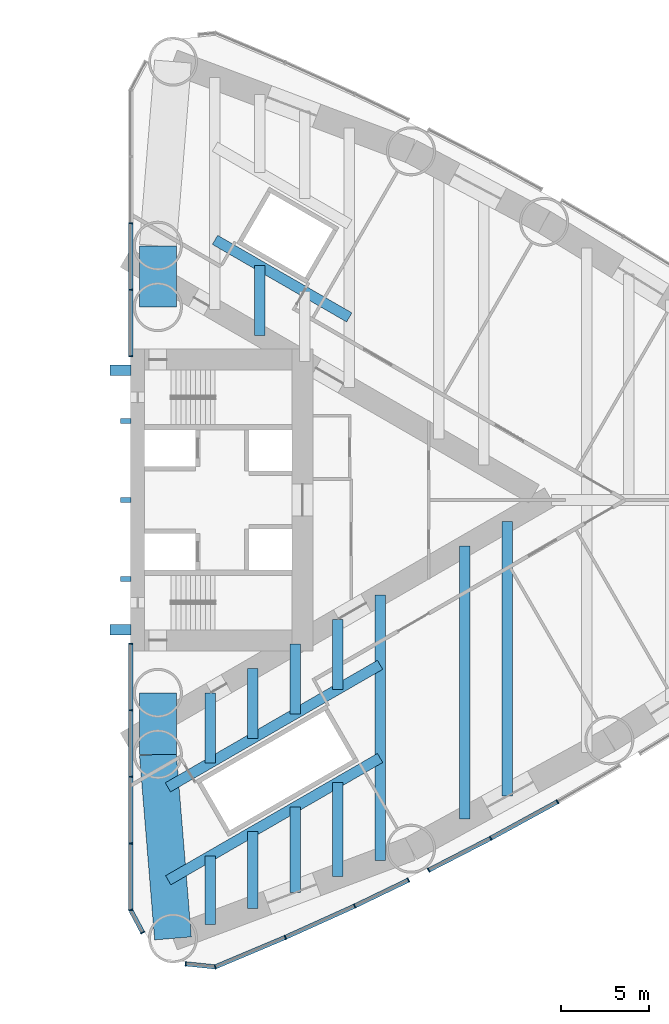
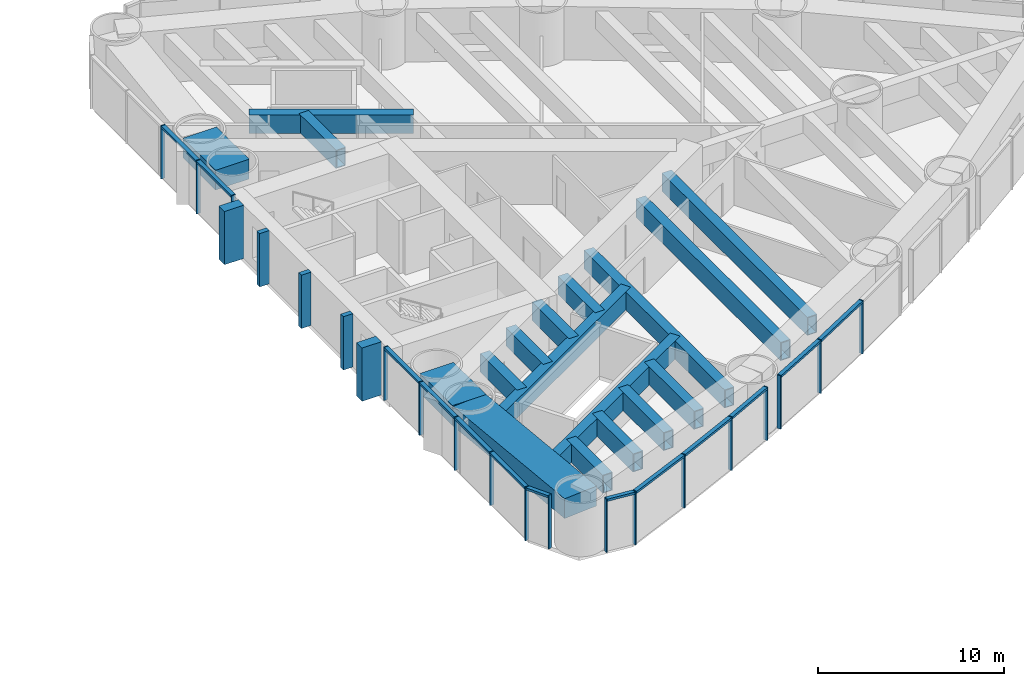
# One storey, part 6 of 20: 35 members, 18 beams, 4 elements without a shape of their own.
"""IFC4 building model written with IfcOpenShell, lengths in metres."""

from ifc_helpers import new_model, si_unit, direction, frame, origin, origin_2d, place, context, subcontext, project, spatial, rectangle, hollow_rectangle, extrude, material, material_profile, profile_set, type_object, element, aggregate, save


model = new_model("IFC4")

# Units and contexts
model_context = context("Model", 3, precision=1e-05, world=origin(), true_north=direction((0.0, 1.0)))
body_context = subcontext(model_context, "Body", "Model", "MODEL_VIEW")
ifc_project = project(units=[si_unit("LENGTHUNIT", "METRE"), si_unit("AREAUNIT", "SQUARE_METRE"), si_unit("VOLUMEUNIT", "CUBIC_METRE"), si_unit("PLANEANGLEUNIT", "RADIAN"), si_unit("MASSUNIT", "GRAM", prefix="KILO")], contexts=[model_context])

# Site, building, storey
site_placement = place(None, origin())
site = spatial("IfcSite", under=ifc_project, at=site_placement, CompositionType="ELEMENT")
building_placement = place(site_placement, origin())
building = spatial("IfcBuilding", under=site, at=building_placement, Name="Lancet Gate Hotel", CompositionType="ELEMENT")
storey_placement = place(building_placement, frame((0.0, 0.0, 77.5)))
storey = spatial("IfcBuildingStorey", under=building, at=storey_placement, Name="L20", CompositionType="ELEMENT", Elevation=77.5)

# Curtain wall, members
ifc_material_1 = material(Name="Aluminium curtain wall", Category="aluminium")
curtain_wall_type = type_object("IfcCurtainWallType", Name="Tower unitised curtain wall", PredefinedType="USERDEFINED", material=ifc_material_1)
curtain_wall_1_placement = place(storey_placement, origin())
curtain_wall_1 = element("IfcCurtainWall", 1, at=curtain_wall_1_placement, inside=storey, type_object=curtain_wall_type, Name="T2 L20 curtain wall 1", ObjectType="UNITISED CURTAIN WALL", PredefinedType="USERDEFINED")
ifc_material_2 = material(Name="Aluminium mullion", Category="aluminium")
ifc_material_profile_1 = material_profile(ifc_material_2, rectangle(XDim=0.06494140625, YDim=0.25, at=origin_2d()), Name="MULLION 65x250")
ifc_profile_set_1 = profile_set([ifc_material_profile_1], Name="Aluminium mullion")
member_type_1 = type_object("IfcMemberType", Name="Aluminium mullion 65x250", PredefinedType="MULLION", material=ifc_profile_set_1)
member_1_placement = place(storey_placement, frame((27.5, -8.199951171875, 0.0), z_axis=(0.0, 0.0, 1.0), x_axis=(0.0, -1.0, 0.0)))
member_1 = element("IfcMember", 2, at=member_1_placement, type_object=member_type_1, Name="T2 L20 curtain wall 1 mullion 1", PredefinedType="MULLION", context=body_context, shape_type="SweptSolid", body=[
    extrude(rectangle(XDim=0.06494140625, YDim=0.25, at=origin_2d()), origin(), (0.0, 0.0, 1.0), 3.5),
])
member_2_placement = place(storey_placement, frame((27.5, -11.99609375, 0.0), z_axis=(0.0, 0.0, 1.0), x_axis=(0.0, -1.0, 0.0)))
member_2 = element("IfcMember", 3, at=member_2_placement, type_object=member_type_1, Name="T2 L20 curtain wall 1 mullion 2", PredefinedType="MULLION", context=body_context, shape_type="SweptSolid", body=[
    extrude(rectangle(XDim=0.06494140625, YDim=0.25, at=origin_2d()), origin(), (0.0, 0.0, 1.0), 3.5),
])
member_3_placement = place(storey_placement, frame((27.5, -15.79248046875, 0.0), z_axis=(0.0, 0.0, 1.0), x_axis=(0.0, -1.0, 0.0)))
member_3 = element("IfcMember", 4, at=member_3_placement, type_object=member_type_1, Name="T2 L20 curtain wall 1 mullion 3", PredefinedType="MULLION", context=body_context, shape_type="SweptSolid", body=[
    extrude(rectangle(XDim=0.06494140625, YDim=0.25, at=origin_2d()), origin(), (0.0, 0.0, 1.0), 3.5),
])
member_4_placement = place(storey_placement, frame((27.5, -19.588623046875, 0.0), z_axis=(0.0, 0.0, 1.0), x_axis=(0.0, -1.0, 0.0)))
member_4 = element("IfcMember", 5, at=member_4_placement, type_object=member_type_1, Name="T2 L20 curtain wall 1 mullion 4", PredefinedType="MULLION", context=body_context, shape_type="SweptSolid", body=[
    extrude(rectangle(XDim=0.06494140625, YDim=0.25, at=origin_2d()), origin(), (0.0, 0.0, 1.0), 3.5),
])
member_5_placement = place(storey_placement, frame((27.5, -23.384765625, 0.0), z_axis=(0.0, 0.0, 1.0), x_axis=(0.133367224339, -0.99106668972, 0.0)))
member_5 = element("IfcMember", 6, at=member_5_placement, type_object=member_type_1, Name="T2 L20 curtain wall 1 mullion 5", PredefinedType="MULLION", context=body_context, shape_type="SweptSolid", body=[
    extrude(rectangle(XDim=0.06494140625, YDim=0.25, at=origin_2d()), origin(), (0.0, 0.0, 1.0), 3.5),
])
member_6_placement = place(storey_placement, frame((28.18359375, -24.669189453125, 0.0), z_axis=(0.0, 0.0, 1.0), x_axis=(0.469897827284, -0.882720811987, 0.0)))
member_6 = element("IfcMember", 7, at=member_6_placement, type_object=member_type_1, Name="T2 L20 curtain wall 1 mullion 6", PredefinedType="MULLION", context=body_context, shape_type="SweptSolid", body=[
    extrude(rectangle(XDim=0.06494140625, YDim=0.25, at=origin_2d()), origin(), (0.0, 0.0, 1.0), 3.5),
])

curtain_wall_2_placement = place(storey_placement, origin())
curtain_wall_2 = element("IfcCurtainWall", 8, at=curtain_wall_2_placement, inside=storey, type_object=curtain_wall_type, Name="T2 L20 curtain wall 2", ObjectType="UNITISED CURTAIN WALL", PredefinedType="USERDEFINED")
member_7_placement = place(storey_placement, frame((30.638671875, -26.453369140625, 0.0), z_axis=(0.0, 0.0, 1.0), x_axis=(0.994672262412, -0.10308778001, 0.0)))
member_7 = element("IfcMember", 9, at=member_7_placement, type_object=member_type_1, Name="T2 L20 curtain wall 2 mullion 1", PredefinedType="MULLION", context=body_context, shape_type="SweptSolid", body=[
    extrude(rectangle(XDim=0.06494140625, YDim=0.25, at=origin_2d()), origin(), (0.0, 0.0, 1.0), 3.5),
])
member_8_placement = place(storey_placement, frame((32.3173828125, -26.62744140625, 0.0), z_axis=(0.0, 0.0, 1.0), x_axis=(0.966401213255, 0.257038314302, 0.0)))
member_8 = element("IfcMember", 10, at=member_8_placement, type_object=member_type_1, Name="T2 L20 curtain wall 2 mullion 2", PredefinedType="MULLION", context=body_context, shape_type="SweptSolid", body=[
    extrude(rectangle(XDim=0.06494140625, YDim=0.25, at=origin_2d()), origin(), (0.0, 0.0, 1.0), 3.5),
])
member_9_placement = place(storey_placement, frame((36.31494140625, -24.943603515625, 0.0), z_axis=(0.0, 0.0, 1.0), x_axis=(0.916578705089, 0.399854320193, 0.0)))
member_9 = element("IfcMember", 11, at=member_9_placement, type_object=member_type_1, Name="T2 L20 curtain wall 2 mullion 3", PredefinedType="MULLION", context=body_context, shape_type="SweptSolid", body=[
    extrude(rectangle(XDim=0.06494140625, YDim=0.25, at=origin_2d()), origin(), (0.0, 0.0, 1.0), 3.5),
])
member_10_placement = place(storey_placement, frame((40.2685546875, -23.15869140625, 0.0), z_axis=(0.0, 0.0, 1.0), x_axis=(0.906755286651, 0.421657266189, 0.0)))
member_10 = element("IfcMember", 12, at=member_10_placement, type_object=member_type_1, Name="T2 L20 curtain wall 2 mullion 4", PredefinedType="MULLION", context=body_context, shape_type="SweptSolid", body=[
    extrude(rectangle(XDim=0.06494140625, YDim=0.25, at=origin_2d()), origin(), (0.0, 0.0, 1.0), 3.5),
])
member_11_placement = place(storey_placement, frame((43.33203125, -21.6806640625, 0.0), z_axis=(0.0, 0.0, 1.0), x_axis=(0.90064748964, 0.434550456686, 0.0)))
member_11 = element("IfcMember", 13, at=member_11_placement, type_object=member_type_1, Name="T2 L20 curtain wall 2 mullion 5", PredefinedType="MULLION", context=body_context, shape_type="SweptSolid", body=[
    extrude(rectangle(XDim=0.06494140625, YDim=0.25, at=origin_2d()), origin(), (0.0, 0.0, 1.0), 3.5),
])

curtain_wall_3_placement = place(storey_placement, origin())
curtain_wall_3 = element("IfcCurtainWall", 14, at=curtain_wall_3_placement, inside=storey, type_object=curtain_wall_type, Name="T2 L20 curtain wall 3", ObjectType="UNITISED CURTAIN WALL", PredefinedType="USERDEFINED")
member_12_placement = place(storey_placement, frame((44.487548828125, -21.11328125, 0.0), z_axis=(0.0, 0.0, 1.0), x_axis=(0.889295829671, 0.457332403541, 0.0)))
member_12 = element("IfcMember", 15, at=member_12_placement, type_object=member_type_1, Name="T2 L20 curtain wall 3 mullion 1", PredefinedType="MULLION", context=body_context, shape_type="SweptSolid", body=[
    extrude(rectangle(XDim=0.06494140625, YDim=0.25, at=origin_2d()), origin(), (0.0, 0.0, 1.0), 3.5),
])
member_13_placement = place(storey_placement, frame((48.03271484375, -19.2900390625, 0.0), z_axis=(0.0, 0.0, 1.0), x_axis=(0.883151786909, 0.469087327988, 0.0)))
member_13 = element("IfcMember", 16, at=member_13_placement, type_object=member_type_1, Name="T2 L20 curtain wall 3 mullion 2", PredefinedType="MULLION", context=body_context, shape_type="SweptSolid", body=[
    extrude(rectangle(XDim=0.06494140625, YDim=0.25, at=origin_2d()), origin(), (0.0, 0.0, 1.0), 3.5),
])
member_14_placement = place(storey_placement, frame((51.838623046875, -17.208740234375, 0.0), z_axis=(0.0, 0.0, 1.0), x_axis=(0.871354741698, 0.490653558146, 0.0)))
member_14 = element("IfcMember", 17, at=member_14_placement, type_object=member_type_1, Name="T2 L20 curtain wall 3 mullion 3", PredefinedType="MULLION", context=body_context, shape_type="SweptSolid", body=[
    extrude(rectangle(XDim=0.06494140625, YDim=0.25, at=origin_2d()), origin(), (0.0, 0.0, 1.0), 3.5),
])

curtain_wall_4_placement = place(storey_placement, origin())
curtain_wall_4 = element("IfcCurtainWall", 18, at=curtain_wall_4_placement, inside=storey, type_object=curtain_wall_type, Name="T2 L20 curtain wall 10", ObjectType="UNITISED CURTAIN WALL", PredefinedType="USERDEFINED")
member_15_placement = place(storey_placement, frame((27.5, 15.79248046875, 0.0), z_axis=(0.0, 0.0, 1.0), x_axis=(0.0, -1.0, 0.0)))
member_15 = element("IfcMember", 19, at=member_15_placement, type_object=member_type_1, Name="T2 L20 curtain wall 10 mullion 4", PredefinedType="MULLION", context=body_context, shape_type="SweptSolid", body=[
    extrude(rectangle(XDim=0.06494140625, YDim=0.25, at=origin_2d()), origin(), (0.0, 0.0, 1.0), 3.5),
])
member_16_placement = place(storey_placement, frame((27.5, 11.99609375, 0.0), z_axis=(0.0, 0.0, 1.0), x_axis=(0.0, -1.0, 0.0)))
member_16 = element("IfcMember", 20, at=member_16_placement, type_object=member_type_1, Name="T2 L20 curtain wall 10 mullion 5", PredefinedType="MULLION", context=body_context, shape_type="SweptSolid", body=[
    extrude(rectangle(XDim=0.06494140625, YDim=0.25, at=origin_2d()), origin(), (0.0, 0.0, 1.0), 3.5),
])
member_17_placement = place(storey_placement, frame((27.5, 8.199951171875, 0.0), z_axis=(0.0, 0.0, 1.0), x_axis=(0.0, -1.0, 0.0)))
member_17 = element("IfcMember", 21, at=member_17_placement, type_object=member_type_1, Name="T2 L20 curtain wall 10 mullion 6", PredefinedType="MULLION", context=body_context, shape_type="SweptSolid", body=[
    extrude(rectangle(XDim=0.06494140625, YDim=0.25, at=origin_2d()), origin(), (0.0, 0.0, 1.0), 3.5),
])

# Member
ifc_material_3 = material(Name="Aluminium transom", Category="aluminium")
ifc_material_profile_2 = material_profile(ifc_material_3, rectangle(XDim=0.25, YDim=0.14990234375, at=origin_2d()), Name="TRANSOM 250x150")
ifc_profile_set_2 = profile_set([ifc_material_profile_2], Name="Aluminium transom")
member_type_2 = type_object("IfcMemberType", Name="Aluminium transom 250x150", PredefinedType="USERDEFINED", material=ifc_profile_set_2)
member_18_placement = place(storey_placement, frame((27.5, -8.232421875, 3.425048828125), z_axis=(0.0, -1.0, 0.0), x_axis=(1.0, 0.0, 0.0)))
member_18 = element("IfcMember", 22, at=member_18_placement, type_object=member_type_2, Name="T2 L20 curtain wall 1 transom 1", ObjectType="TRANSOM", PredefinedType="USERDEFINED", context=body_context, shape_type="SweptSolid", body=[
    extrude(rectangle(XDim=0.25, YDim=0.14990234375, at=origin_2d()), origin(), (0.0, 0.0, 1.0), 3.731201171875),
])

member_19_placement = place(storey_placement, frame((27.5, -12.02880859375, 3.425048828125), z_axis=(0.0, -1.0, 0.0), x_axis=(1.0, 0.0, 0.0)))
member_19 = element("IfcMember", 23, at=member_19_placement, type_object=member_type_2, Name="T2 L20 curtain wall 1 transom 2", ObjectType="TRANSOM", PredefinedType="USERDEFINED", context=body_context, shape_type="SweptSolid", body=[
    extrude(rectangle(XDim=0.25, YDim=0.14990234375, at=origin_2d()), origin(), (0.0, 0.0, 1.0), 3.731201171875),
])

member_20_placement = place(storey_placement, frame((27.5, -15.824951171875, 3.425048828125), z_axis=(0.0, -1.0, 0.0), x_axis=(1.0, 0.0, 0.0)))
member_20 = element("IfcMember", 24, at=member_20_placement, type_object=member_type_2, Name="T2 L20 curtain wall 1 transom 3", ObjectType="TRANSOM", PredefinedType="USERDEFINED", context=body_context, shape_type="SweptSolid", body=[
    extrude(rectangle(XDim=0.25, YDim=0.14990234375, at=origin_2d()), origin(), (0.0, 0.0, 1.0), 3.731201171875),
])

member_21_placement = place(storey_placement, frame((27.5, -19.62109375, 3.425048828125), z_axis=(0.0, -1.0, 0.0), x_axis=(1.0, 0.0, 0.0)))
member_21 = element("IfcMember", 25, at=member_21_placement, type_object=member_type_2, Name="T2 L20 curtain wall 1 transom 4", ObjectType="TRANSOM", PredefinedType="USERDEFINED", context=body_context, shape_type="SweptSolid", body=[
    extrude(rectangle(XDim=0.25, YDim=0.14990234375, at=origin_2d()), origin(), (0.0, 0.0, 1.0), 3.731201171875),
])

member_22_placement = place(storey_placement, frame((27.515380859375, -23.41357421875, 3.425048828125), z_axis=(0.469904276347, -0.882717378933, 0.0), x_axis=(0.882717378933, 0.469904276347, 0.0)))
member_22 = element("IfcMember", 26, at=member_22_placement, type_object=member_type_2, Name="T2 L20 curtain wall 1 transom 5", ObjectType="TRANSOM", PredefinedType="USERDEFINED", context=body_context, shape_type="SweptSolid", body=[
    extrude(rectangle(XDim=0.25, YDim=0.14990234375, at=origin_2d()), origin(), (0.0, 0.0, 1.0), 1.389892578125),
])

aggregate(curtain_wall_1, [member_1, member_2, member_3, member_4, member_5, member_6, member_18, member_19, member_20, member_21, member_22])

member_23_placement = place(storey_placement, frame((30.671142578125, -26.456787109375, 3.425048828125), z_axis=(0.994674787412, -0.103063413913, 0.0), x_axis=(0.103063413913, 0.994674787412, 0.0)))
member_23 = element("IfcMember", 27, at=member_23_placement, type_object=member_type_2, Name="T2 L20 curtain wall 2 transom 1", ObjectType="TRANSOM", PredefinedType="USERDEFINED", context=body_context, shape_type="SweptSolid", body=[
    extrude(rectangle(XDim=0.25, YDim=0.14990234375, at=origin_2d()), origin(), (0.0, 0.0, 1.0), 1.62255859375),
])

member_24_placement = place(storey_placement, frame((32.347412109375, -26.61474609375, 3.425048828125), z_axis=(0.92159772617, 0.388146404233, 0.0), x_axis=(-0.388146404233, 0.92159772617, 0.0)))
member_24 = element("IfcMember", 28, at=member_24_placement, type_object=member_type_2, Name="T2 L20 curtain wall 2 transom 2", ObjectType="TRANSOM", PredefinedType="USERDEFINED", context=body_context, shape_type="SweptSolid", body=[
    extrude(rectangle(XDim=0.25, YDim=0.14990234375, at=origin_2d()), origin(), (0.0, 0.0, 1.0), 4.272705078125),
])

member_25_placement = place(storey_placement, frame((36.3447265625, -24.930419921875, 3.425048828125), z_axis=(0.911396871737, 0.411528543589, 0.0), x_axis=(-0.411528543589, 0.911396871737, 0.0)))
member_25 = element("IfcMember", 29, at=member_25_placement, type_object=member_type_2, Name="T2 L20 curtain wall 2 transom 3", ObjectType="TRANSOM", PredefinedType="USERDEFINED", context=body_context, shape_type="SweptSolid", body=[
    extrude(rectangle(XDim=0.25, YDim=0.14990234375, at=origin_2d()), origin(), (0.0, 0.0, 1.0), 4.272705078125),
])

member_26_placement = place(storey_placement, frame((40.2978515625, -23.14453125, 3.425048828125), z_axis=(0.900660279687, 0.43452394709, 0.0), x_axis=(-0.43452394709, 0.900660279687, 0.0)))
member_26 = element("IfcMember", 30, at=member_26_placement, type_object=member_type_2, Name="T2 L20 curtain wall 2 transom 4", ObjectType="TRANSOM", PredefinedType="USERDEFINED", context=body_context, shape_type="SweptSolid", body=[
    extrude(rectangle(XDim=0.25, YDim=0.14990234375, at=origin_2d()), origin(), (0.0, 0.0, 1.0), 3.33642578125),
])

aggregate(curtain_wall_2, [member_7, member_8, member_9, member_10, member_11, member_23, member_24, member_25, member_26])

member_27_placement = place(storey_placement, frame((44.516357421875, -21.098388671875, 3.425048828125), z_axis=(0.889302270264, 0.457319879409, 0.0), x_axis=(-0.457319879409, 0.889302270264, 0.0)))
member_27 = element("IfcMember", 31, at=member_27_placement, type_object=member_type_2, Name="T2 L20 curtain wall 3 transom 1", ObjectType="TRANSOM", PredefinedType="USERDEFINED", context=body_context, shape_type="SweptSolid", body=[
    extrude(rectangle(XDim=0.25, YDim=0.14990234375, at=origin_2d()), origin(), (0.0, 0.0, 1.0), 3.921630859375),
])

member_28_placement = place(storey_placement, frame((48.061279296875, -19.2744140625, 3.425048828125), z_axis=(0.877377528879, 0.479800658417, 0.0), x_axis=(-0.479800658417, 0.877377528879, 0.0)))
member_28 = element("IfcMember", 32, at=member_28_placement, type_object=member_type_2, Name="T2 L20 curtain wall 3 transom 2", ObjectType="TRANSOM", PredefinedType="USERDEFINED", context=body_context, shape_type="SweptSolid", body=[
    extrude(rectangle(XDim=0.25, YDim=0.14990234375, at=origin_2d()), origin(), (0.0, 0.0, 1.0), 4.272705078125),
])

aggregate(curtain_wall_3, [member_12, member_13, member_14, member_27, member_28])

member_29_placement = place(storey_placement, frame((27.5, 15.760009765625, 3.425048828125), z_axis=(0.0, -1.0, 0.0), x_axis=(1.0, 0.0, 0.0)))
member_29 = element("IfcMember", 33, at=member_29_placement, type_object=member_type_2, Name="T2 L20 curtain wall 10 transom 4", ObjectType="TRANSOM", PredefinedType="USERDEFINED", context=body_context, shape_type="SweptSolid", body=[
    extrude(rectangle(XDim=0.25, YDim=0.14990234375, at=origin_2d()), origin(), (0.0, 0.0, 1.0), 3.731201171875),
])

member_30_placement = place(storey_placement, frame((27.5, 11.963623046875, 3.425048828125), z_axis=(0.0, -1.0, 0.0), x_axis=(1.0, 0.0, 0.0)))
member_30 = element("IfcMember", 34, at=member_30_placement, type_object=member_type_2, Name="T2 L20 curtain wall 10 transom 5", ObjectType="TRANSOM", PredefinedType="USERDEFINED", context=body_context, shape_type="SweptSolid", body=[
    extrude(rectangle(XDim=0.25, YDim=0.14990234375, at=origin_2d()), origin(), (0.0, 0.0, 1.0), 3.731201171875),
])

aggregate(curtain_wall_4, [member_15, member_16, member_17, member_29, member_30])

# Members
ifc_material_4 = material(Name="Concrete C60/75", Category="concrete")
ifc_material_profile_3 = material_profile(ifc_material_4, rectangle(XDim=0.60009765625, YDim=1.199951171875, at=origin_2d()), Name="FIN 600x1200")
ifc_profile_set_3 = profile_set([ifc_material_profile_3], Name="Concrete C60/75")
member_type_3 = type_object("IfcMemberType", Name="Exposed concrete buttress pilaster 600x1200", PredefinedType="USERDEFINED", material=ifc_profile_set_3)
for number, where, z_axis, x_axis, name in (
    (35, (26.909912109375, -7.39990234375, 0.0), (0.0, 0.0, 1.0), (0.0, 1.0, 0.0), "T2 buttress pilaster S L20"),
    (36, (26.909912109375, 7.39990234375, 0.0), (0.0, 0.0, 1.0), (0.0, 1.0, 0.0), "T2 buttress pilaster N L20"),
):
    element("IfcMember", number, at=place(storey_placement, frame(where, z_axis=z_axis, x_axis=x_axis)), inside=storey, type_object=member_type_3, Name=name, ObjectType="FIN", PredefinedType="USERDEFINED", context=body_context, shape_type="SweptSolid", body=[
        extrude(rectangle(XDim=0.60009765625, YDim=1.199951171875, at=origin_2d()), origin(), (0.0, 0.0, 1.0), 3.5),
    ])
ifc_material_5 = material(Name="Concrete C60/75", Category="concrete")
ifc_material_profile_4 = material_profile(ifc_material_5, rectangle(XDim=0.300048828125, YDim=0.60009765625, at=origin_2d()), Name="FIN 300x600")
ifc_profile_set_4 = profile_set([ifc_material_profile_4], Name="Concrete C60/75")
member_type_4 = type_object("IfcMemberType", Name="Exposed concrete rib 300x600", PredefinedType="USERDEFINED", material=ifc_profile_set_4)
for number, where, z_axis, x_axis, name in (
    (37, (27.2099609375, -4.5, 0.0), (0.0, 0.0, 1.0), (0.0, 1.0, 0.0), "T2 core rib 1 L20"),
    (38, (27.2099609375, 0.0, 0.0), (0.0, 0.0, 1.0), (0.0, 1.0, 0.0), "T2 core rib 2 L20"),
    (39, (27.2099609375, 4.5, 0.0), (0.0, 0.0, 1.0), (0.0, 1.0, 0.0), "T2 core rib 3 L20"),
):
    element("IfcMember", number, at=place(storey_placement, frame(where, z_axis=z_axis, x_axis=x_axis)), inside=storey, type_object=member_type_4, Name=name, ObjectType="FIN", PredefinedType="USERDEFINED", context=body_context, shape_type="SweptSolid", body=[
        extrude(rectangle(XDim=0.300048828125, YDim=0.60009765625, at=origin_2d()), origin(), (0.0, 0.0, 1.0), 3.5),
    ])

# Beams
ifc_material_6 = material(Name="Steel S460QL", Category="steel")
ifc_material_profile_5 = material_profile(ifc_material_6, hollow_rectangle(XDim=0.60009765625, YDim=1.199951171875, WallThickness=0.050048828125, at=origin_2d()), Name="BOX 1200x600x50")
ifc_profile_set_5 = profile_set([ifc_material_profile_5], Name="Steel S460QL")
beam_type_1 = type_object("IfcBeamType", Name="Refuge floor beam BOX 1200x600x50", PredefinedType="BEAM", material=ifc_profile_set_5)
beam_1_placement = place(storey_placement, frame((41.721435546875, -20.55078125, 2.64990234375), z_axis=(0.0, 1.0, 0.0), x_axis=(-1.0, 0.0, 0.0)))
element("IfcBeam", 40, at=beam_1_placement, inside=storey, type_object=beam_type_1, Name="T2 floor beam F11S L20", PredefinedType="BEAM", context=body_context, shape_type="SweptSolid", body=[
    extrude(hollow_rectangle(XDim=0.60009765625, YDim=1.199951171875, WallThickness=0.050048828125, at=origin_2d()), origin(), (0.0, 0.0, 1.0), 15.134765625),
])
beam_2_placement = place(storey_placement, frame((46.561767578125, -18.203369140625, 2.64990234375), z_axis=(0.0, 1.0, 0.0), x_axis=(-1.0, 0.0, 0.0)))
element("IfcBeam", 41, at=beam_2_placement, inside=storey, type_object=beam_type_1, Name="T2 floor beam F13S L20", PredefinedType="BEAM", context=body_context, shape_type="SweptSolid", body=[
    extrude(hollow_rectangle(XDim=0.60009765625, YDim=1.199951171875, WallThickness=0.050048828125, at=origin_2d()), origin(), (0.0, 0.0, 1.0), 15.58203125),
])
beam_3_placement = place(storey_placement, frame((48.98193359375, -16.879638671875, 2.64990234375), z_axis=(0.0, 1.0, 0.0), x_axis=(-1.0, 0.0, 0.0)))
element("IfcBeam", 42, at=beam_3_placement, inside=storey, type_object=beam_type_1, Name="T2 floor beam F15S L20", PredefinedType="BEAM", context=body_context, shape_type="SweptSolid", body=[
    extrude(hollow_rectangle(XDim=0.60009765625, YDim=1.199951171875, WallThickness=0.050048828125, at=origin_2d()), origin(), (0.0, 0.0, 1.0), 15.655517578125),
])
beam_4_placement = place(storey_placement, frame((32.04052734375, -24.199951171875, 2.64990234375), z_axis=(0.0, 1.0, 0.0), x_axis=(-1.0, 0.0, 0.0)))
element("IfcBeam", 43, at=beam_4_placement, inside=storey, type_object=beam_type_1, Name="T2 floor beam F03SA L20", PredefinedType="BEAM", context=body_context, shape_type="SweptSolid", body=[
    extrude(hollow_rectangle(XDim=0.60009765625, YDim=1.199951171875, WallThickness=0.050048828125, at=origin_2d()), origin(), (0.0, 0.0, 1.0), 3.899658203125),
])
beam_5_placement = place(storey_placement, frame((32.04052734375, -14.989013671875, 2.64990234375), z_axis=(0.0, 1.0, 0.0), x_axis=(-1.0, 0.0, 0.0)))
element("IfcBeam", 44, at=beam_5_placement, inside=storey, type_object=beam_type_1, Name="T2 floor beam F03SB L20", PredefinedType="BEAM", context=body_context, shape_type="SweptSolid", body=[
    extrude(hollow_rectangle(XDim=0.60009765625, YDim=1.199951171875, WallThickness=0.050048828125, at=origin_2d()), origin(), (0.0, 0.0, 1.0), 3.983642578125),
])
beam_6_placement = place(storey_placement, frame((34.460693359375, -23.28759765625, 2.64990234375), z_axis=(0.0, 1.0, 0.0), x_axis=(-1.0, 0.0, 0.0)))
element("IfcBeam", 45, at=beam_6_placement, inside=storey, type_object=beam_type_1, Name="T2 floor beam F05SA L20", PredefinedType="BEAM", context=body_context, shape_type="SweptSolid", body=[
    extrude(hollow_rectangle(XDim=0.60009765625, YDim=1.199951171875, WallThickness=0.050048828125, at=origin_2d()), origin(), (0.0, 0.0, 1.0), 4.384521484375),
])
for number, where, z_axis, x_axis, name in (
    (46, (34.460693359375, -13.591796875, 2.64990234375), (0.0, 1.0, 0.0), (-1.0, 0.0, 0.0), "T2 floor beam F05SB L20"),
    (47, (34.859619140625, 9.377685546875, 2.64990234375), (0.0, 1.0, 0.0), (-1.0, 0.0, 0.0), "T2 floor beam F06NA L20"),
):
    element("IfcBeam", number, at=place(storey_placement, frame(where, z_axis=z_axis, x_axis=x_axis)), inside=storey, type_object=beam_type_1, Name=name, PredefinedType="BEAM", context=body_context, shape_type="SweptSolid", body=[
        extrude(hollow_rectangle(XDim=0.60009765625, YDim=1.199951171875, WallThickness=0.050048828125, at=origin_2d()), origin(), (0.0, 0.0, 1.0), 3.98388671875),
    ])
beam_7_placement = place(storey_placement, frame((36.880859375, -22.37548828125, 2.64990234375), z_axis=(0.0, 1.0, 0.0), x_axis=(-1.0, 0.0, 0.0)))
element("IfcBeam", 48, at=beam_7_placement, inside=storey, type_object=beam_type_1, Name="T2 floor beam F07SA L20", PredefinedType="BEAM", context=body_context, shape_type="SweptSolid", body=[
    extrude(hollow_rectangle(XDim=0.60009765625, YDim=1.199951171875, WallThickness=0.050048828125, at=origin_2d()), origin(), (0.0, 0.0, 1.0), 4.869873046875),
])
beam_8_placement = place(storey_placement, frame((36.880859375, -12.1943359375, 2.64990234375), z_axis=(0.0, 1.0, 0.0), x_axis=(-1.0, 0.0, 0.0)))
element("IfcBeam", 49, at=beam_8_placement, inside=storey, type_object=beam_type_1, Name="T2 floor beam F07SB L20", PredefinedType="BEAM", context=body_context, shape_type="SweptSolid", body=[
    extrude(hollow_rectangle(XDim=0.60009765625, YDim=1.199951171875, WallThickness=0.050048828125, at=origin_2d()), origin(), (0.0, 0.0, 1.0), 3.983642578125),
])
beam_9_placement = place(storey_placement, frame((39.301025390625, -21.463134765625, 2.64990234375), z_axis=(0.0, 1.0, 0.0), x_axis=(-1.0, 0.0, 0.0)))
element("IfcBeam", 50, at=beam_9_placement, inside=storey, type_object=beam_type_1, Name="T2 floor beam F09SA L20", PredefinedType="BEAM", context=body_context, shape_type="SweptSolid", body=[
    extrude(hollow_rectangle(XDim=0.60009765625, YDim=1.199951171875, WallThickness=0.050048828125, at=origin_2d()), origin(), (0.0, 0.0, 1.0), 5.354736328125),
])
beam_10_placement = place(storey_placement, frame((39.301025390625, -10.797119140625, 2.64990234375), z_axis=(0.0, 1.0, 0.0), x_axis=(-1.0, 0.0, 0.0)))
element("IfcBeam", 51, at=beam_10_placement, inside=storey, type_object=beam_type_1, Name="T2 floor beam F09SB L20", PredefinedType="BEAM", context=body_context, shape_type="SweptSolid", body=[
    extrude(hollow_rectangle(XDim=0.60009765625, YDim=1.199951171875, WallThickness=0.050048828125, at=origin_2d()), origin(), (0.0, 0.0, 1.0), 3.983642578125),
])
ifc_material_7 = material(Name="Concrete C50/60", Category="concrete")
ifc_material_profile_6 = material_profile(ifc_material_7, rectangle(XDim=2.10009765625, YDim=1.300048828125, at=origin_2d()), Name="RC 2100x1300")
ifc_profile_set_6 = profile_set([ifc_material_profile_6], Name="Concrete C50/60")
beam_type_2 = type_object("IfcBeamType", Name="Tie ring beam RC 2100x1300", PredefinedType="SPANDREL", material=ifc_profile_set_6)
beam_11_placement = place(storey_placement, frame((29.9111328125, -25.00244140625, 2.60009765625), z_axis=(-0.081714744052, 0.996655758326, 0.0), x_axis=(-0.996655758326, -0.081714744052, 0.0)))
element("IfcBeam", 52, at=beam_11_placement, inside=storey, type_object=beam_type_2, Name="T2 tie ring beam RG2 L20", PredefinedType="SPANDREL", context=body_context, shape_type="SweptSolid", body=[
    extrude(rectangle(XDim=2.10009765625, YDim=1.300048828125, at=origin_2d()), origin(), (0.0, 0.0, 1.0), 10.53759765625),
])
for number, where, z_axis, x_axis, name in (
    (53, (29.050048828125, -14.5, 2.60009765625), (0.0, 1.0, 0.0), (-1.0, 0.0, 0.0), "T2 tie ring beam RG2 L20"),
    (54, (29.050048828125, 11.0, 2.60009765625), (0.0, 1.0, 0.0), (-1.0, 0.0, 0.0), "T2 tie ring beam RG2 L20"),
):
    element("IfcBeam", number, at=place(storey_placement, frame(where, z_axis=z_axis, x_axis=x_axis)), inside=storey, type_object=beam_type_2, Name=name, PredefinedType="SPANDREL", context=body_context, shape_type="SweptSolid", body=[
        extrude(rectangle(XDim=2.10009765625, YDim=1.300048828125, at=origin_2d()), origin(), (0.0, 0.0, 1.0), 3.5),
    ])
ifc_material_8 = material(Name="Steel S460QL", Category="steel")
ifc_material_profile_7 = material_profile(ifc_material_8, hollow_rectangle(XDim=0.60009765625, YDim=1.199951171875, WallThickness=0.050048828125, at=origin_2d()), Name="BOX 1200x600x50")
ifc_profile_set_7 = profile_set([ifc_material_profile_7], Name="Steel S460QL")
beam_type_3 = type_object("IfcBeamType", Name="Trimmer beam BOX 1200x600x50", PredefinedType="BEAM", material=ifc_profile_set_7)
beam_12_placement = place(storey_placement, frame((29.6201171875, -16.38623046875, 2.64990234375), z_axis=(0.866036909293, 0.499980071345, 0.0), x_axis=(-0.499980071345, 0.866036909293, 0.0)))
element("IfcBeam", 55, at=beam_12_placement, inside=storey, type_object=beam_type_3, Name="T2 trimmer beam TR01S L20", PredefinedType="BEAM", context=body_context, shape_type="SweptSolid", body=[
    extrude(hollow_rectangle(XDim=0.60009765625, YDim=1.199951171875, WallThickness=0.050048828125, at=origin_2d()), origin(), (0.0, 0.0, 1.0), 13.97314453125),
])
beam_13_placement = place(storey_placement, frame((29.63916015625, -21.6865234375, 2.64990234375), z_axis=(0.866036674943, 0.499980477273, 0.0), x_axis=(-0.499980477273, 0.866036674943, 0.0)))
element("IfcBeam", 56, at=beam_13_placement, inside=storey, type_object=beam_type_3, Name="T2 trimmer beam TR02S L20", PredefinedType="BEAM", context=body_context, shape_type="SweptSolid", body=[
    extrude(hollow_rectangle(XDim=0.60009765625, YDim=1.199951171875, WallThickness=0.050048828125, at=origin_2d()), origin(), (0.0, 0.0, 1.0), 13.951171875),
])
beam_14_placement = place(storey_placement, frame((32.306396484375, 14.8359375, 2.64990234375), z_axis=(0.865980100851, -0.500078458774, 0.0), x_axis=(0.500078458774, 0.865980100851, 0.0)))
element("IfcBeam", 57, at=beam_14_placement, inside=storey, type_object=beam_type_3, Name="T2 trimmer beam TR04N L20", PredefinedType="BEAM", context=body_context, shape_type="SweptSolid", body=[
    extrude(hollow_rectangle(XDim=0.60009765625, YDim=1.199951171875, WallThickness=0.050048828125, at=origin_2d()), origin(), (0.0, 0.0, 1.0), 8.8447265625),
])

save(model, "model.ifc")
